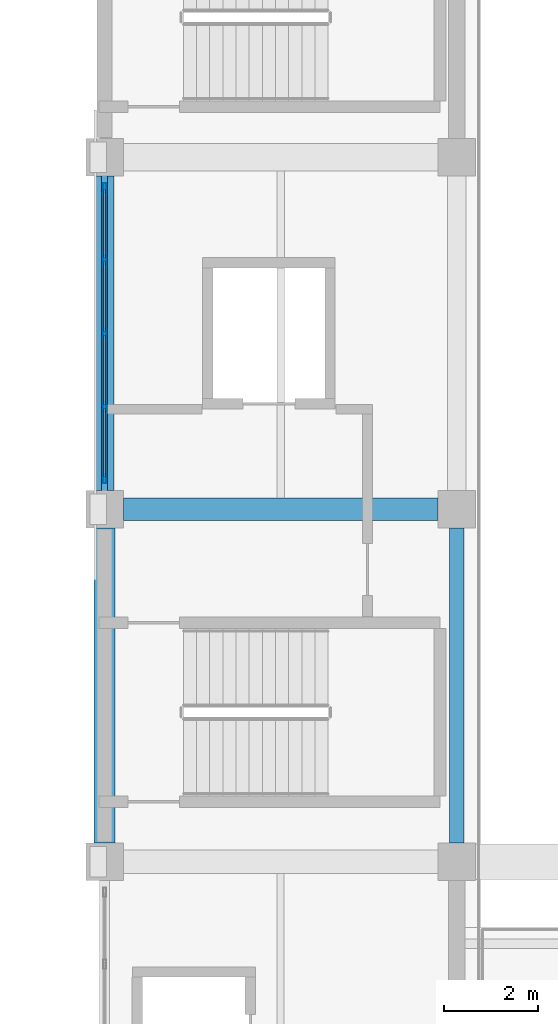
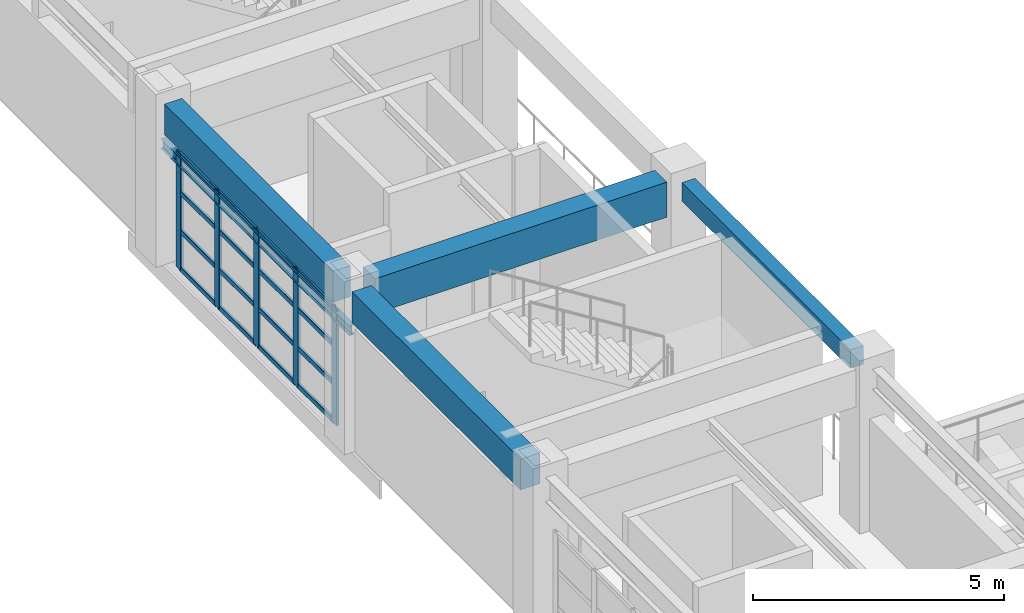
# One storey, part 27 of 124: 21 members, 5 beams, 1 element without a shape of its own.
"""IFC4 building model written with IfcOpenShell, lengths in metres."""

from ifc_helpers import new_model, si_unit, direction, frame, origin, origin_2d, place, context, subcontext, project, spatial, rectangle, hollow_rectangle, i_section, extrude, material, material_profile, profile_set, type_object, element, aggregate, save


model = new_model("IFC4")

# Units and contexts
model_context = context("Model", 3, precision=1e-05, world=origin(), true_north=direction((0.0, 1.0)))
body_context = subcontext(model_context, "Body", "Model", "MODEL_VIEW")
ifc_project = project(units=[si_unit("LENGTHUNIT", "METRE"), si_unit("AREAUNIT", "SQUARE_METRE"), si_unit("VOLUMEUNIT", "CUBIC_METRE"), si_unit("PLANEANGLEUNIT", "RADIAN"), si_unit("MASSUNIT", "GRAM", prefix="KILO")], contexts=[model_context])

# Site, building, storey
site_placement = place(None, origin())
site = spatial("IfcSite", under=ifc_project, at=site_placement, CompositionType="ELEMENT")
building_placement = place(site_placement, origin())
building = spatial("IfcBuilding", under=site, at=building_placement, Name="Qasida Concert Hall", CompositionType="ELEMENT")
storey_placement = place(building_placement, frame((0.0, 0.0, 9.0)))
storey = spatial("IfcBuildingStorey", under=building, at=storey_placement, Name="L02", CompositionType="ELEMENT", Elevation=9.0)

# Beams
ifc_material_1 = material(Name="Concrete C40/50", Category="concrete")
ifc_material_profile_1 = material_profile(ifc_material_1, rectangle(XDim=0.300048828125, YDim=0.449951171875, at=origin_2d()), Name="RC 300x450")
ifc_profile_set_1 = profile_set([ifc_material_profile_1], Name="Concrete C40/50")
beam_type_1 = type_object("IfcBeamType", Name="BM-B3", PredefinedType="BEAM", material=ifc_profile_set_1)
beam_1_placement = place(storey_placement, frame((60.0, 45.39990234375, 3.675048828125), z_axis=(0.0, 1.0, 0.0), x_axis=(-1.0, 0.0, 0.0)))
element("IfcBeam", 1, at=beam_1_placement, inside=storey, type_object=beam_type_1, Name="L02 girder 1178", PredefinedType="BEAM", context=body_context, shape_type="SweptSolid", body=[
    extrude(rectangle(XDim=0.300048828125, YDim=0.449951171875, at=origin_2d()), origin(), (0.0, 0.0, 1.0), 6.7001953125),
])
ifc_material_profile_2 = material_profile(ifc_material_1, rectangle(XDim=0.47998046875, YDim=0.85009765625, at=origin_2d()), Name="RC 480x850")
ifc_profile_set_2 = profile_set([ifc_material_profile_2], Name="Concrete C40/50")
beam_type_2 = type_object("IfcBeamType", Name="BM-G6", PredefinedType="USERDEFINED", material=ifc_profile_set_2)
beam_2_placement = place(storey_placement, frame((52.89990234375, 52.5, 3.47509765625), z_axis=(1.0, 0.0, 0.0), x_axis=(0.0, 1.0, 0.0)))
element("IfcBeam", 2, at=beam_2_placement, inside=storey, type_object=beam_type_2, Name="Primary girder 1151", ObjectType="GIRDER", PredefinedType="USERDEFINED", context=body_context, shape_type="SweptSolid", body=[
    extrude(rectangle(XDim=0.47998046875, YDim=0.85009765625, at=origin_2d()), origin(), (0.0, 0.0, 1.0), 6.7001953125),
])
ifc_material_2 = material(Name="Steel S355J2", Category="steel")
ifc_material_profile_3 = material_profile(ifc_material_2, i_section(OverallWidth=0.1201171875, OverallDepth=0.239990234375, WebThickness=0.006103515625, FlangeThickness=0.009765625, FilletRadius=0.014892578125, at=origin_2d()), Name="IPE 240")
ifc_profile_set_3 = profile_set([ifc_material_profile_3], Name="Steel S355J2")
beam_type_3 = type_object("IfcBeamType", Name="BM-LN2", PredefinedType="LINTEL", material=ifc_profile_set_3)
beam_3_placement = place(storey_placement, frame((52.5, 52.5, 2.64990234375), z_axis=(0.0, 1.0, 0.0), x_axis=(-1.0, 0.0, 0.0)))
element("IfcBeam", 3, at=beam_3_placement, inside=storey, type_object=beam_type_3, Name="L02 portal lintel beam 011", PredefinedType="LINTEL", context=body_context, shape_type="SweptSolid", body=[
    extrude(i_section(OverallWidth=0.1201171875, OverallDepth=0.239990234375, WebThickness=0.006103515625, FlangeThickness=0.009765625, FilletRadius=0.014892578125, at=origin_2d()), origin(), (0.0, 0.0, 1.0), 7.5),
])
ifc_material_profile_4 = material_profile(ifc_material_1, rectangle(XDim=0.39990234375, YDim=0.75, at=origin_2d()), Name="RC 400x750")
ifc_profile_set_4 = profile_set([ifc_material_profile_4], Name="Concrete C40/50")
beam_type_4 = type_object("IfcBeamType", Name="BM-SP1", PredefinedType="SPANDREL", material=ifc_profile_set_4)
beam_4_placement = place(storey_placement, frame((52.5, 52.89990234375, 3.52490234375), z_axis=(0.0, 1.0, 0.0), x_axis=(-1.0, 0.0, 0.0)))
element("IfcBeam", 4, at=beam_4_placement, inside=storey, type_object=beam_type_4, Name="L02 girder 1173", PredefinedType="SPANDREL", context=body_context, shape_type="SweptSolid", body=[
    extrude(rectangle(XDim=0.39990234375, YDim=0.75, at=origin_2d()), origin(), (0.0, 0.0, 1.0), 6.7001953125),
])
ifc_material_profile_5 = material_profile(ifc_material_1, rectangle(XDim=0.449951171875, YDim=0.75, at=origin_2d()), Name="RC 450x750")
ifc_profile_set_5 = profile_set([ifc_material_profile_5], Name="Concrete C40/50")
beam_type_5 = type_object("IfcBeamType", Name="BM-SP4", PredefinedType="SPANDREL", material=ifc_profile_set_5)
beam_5_placement = place(storey_placement, frame((52.5, 45.39990234375, 3.52490234375), z_axis=(0.0, 1.0, 0.0), x_axis=(-1.0, 0.0, 0.0)))
element("IfcBeam", 5, at=beam_5_placement, inside=storey, type_object=beam_type_5, Name="L02 girder 1172", PredefinedType="SPANDREL", context=body_context, shape_type="SweptSolid", body=[
    extrude(rectangle(XDim=0.449951171875, YDim=0.75, at=origin_2d()), origin(), (0.0, 0.0, 1.0), 6.7001953125),
])

# Curtain wall, members
ifc_material_3 = material(Name="Architectural bronze-anodized aluminium and low-E glass", Category="aluminium")
curtain_wall_type = type_object("IfcCurtainWallType", Name="CW-03", PredefinedType="NOTDEFINED", material=ifc_material_3)
curtain_wall_placement = place(storey_placement, origin())
curtain_wall = element("IfcCurtainWall", 6, at=curtain_wall_placement, inside=storey, type_object=curtain_wall_type, Name="L02 curtain wall CW-03 0049", PredefinedType="NOTDEFINED")
ifc_material_4 = material(Name="Architectural bronze-anodized aluminium EN AW-6063", Category="aluminium")
ifc_material_profile_6 = material_profile(ifc_material_4, hollow_rectangle(XDim=0.06494140625, YDim=0.199951171875, WallThickness=0.0048828125, InnerFilletRadius=0.0048828125, OuterFilletRadius=0.010009765625, at=origin_2d()), Name="CWM 200x65x5")
ifc_profile_set_6 = profile_set([ifc_material_profile_6], Name="Architectural bronze-anodized aluminium EN AW-6063")
member_type_1 = type_object("IfcMemberType", Name="MB-CWM-2", PredefinedType="MULLION", material=ifc_profile_set_6)
member_1_placement = place(storey_placement, frame((52.5, 53.152587890625, 0.0), z_axis=(0.0, 0.0, 1.0), x_axis=(-1.0, 0.0, 0.0)))
member_1 = element("IfcMember", 7, at=member_1_placement, type_object=member_type_1, Name="CW-03 mullion 1", PredefinedType="MULLION", context=body_context, shape_type="SweptSolid", body=[
    extrude(hollow_rectangle(XDim=0.06494140625, YDim=0.199951171875, WallThickness=0.0048828125, InnerFilletRadius=0.0048828125, OuterFilletRadius=0.010009765625, at=origin_2d()), origin(), (0.0, 0.0, 1.0), 2.820068359375),
])
member_2_placement = place(storey_placement, frame((52.5, 54.68505859375, 0.0), z_axis=(0.0, 0.0, 1.0), x_axis=(-1.0, 0.0, 0.0)))
member_2 = element("IfcMember", 8, at=member_2_placement, type_object=member_type_1, Name="CW-03 mullion 2", PredefinedType="MULLION", context=body_context, shape_type="SweptSolid", body=[
    extrude(hollow_rectangle(XDim=0.06494140625, YDim=0.199951171875, WallThickness=0.0048828125, InnerFilletRadius=0.0048828125, OuterFilletRadius=0.010009765625, at=origin_2d()), origin(), (0.0, 0.0, 1.0), 2.820068359375),
])
member_3_placement = place(storey_placement, frame((52.5, 56.25, 0.0), z_axis=(0.0, 0.0, 1.0), x_axis=(-1.0, 0.0, 0.0)))
member_3 = element("IfcMember", 9, at=member_3_placement, type_object=member_type_1, Name="CW-03 mullion 3", PredefinedType="MULLION", context=body_context, shape_type="SweptSolid", body=[
    extrude(hollow_rectangle(XDim=0.06494140625, YDim=0.199951171875, WallThickness=0.0048828125, InnerFilletRadius=0.0048828125, OuterFilletRadius=0.010009765625, at=origin_2d()), origin(), (0.0, 0.0, 1.0), 2.820068359375),
])
member_4_placement = place(storey_placement, frame((52.5, 57.81494140625, 0.0), z_axis=(0.0, 0.0, 1.0), x_axis=(-1.0, 0.0, 0.0)))
member_4 = element("IfcMember", 10, at=member_4_placement, type_object=member_type_1, Name="CW-03 mullion 4", PredefinedType="MULLION", context=body_context, shape_type="SweptSolid", body=[
    extrude(hollow_rectangle(XDim=0.06494140625, YDim=0.199951171875, WallThickness=0.0048828125, InnerFilletRadius=0.0048828125, OuterFilletRadius=0.010009765625, at=origin_2d()), origin(), (0.0, 0.0, 1.0), 2.820068359375),
])
member_5_placement = place(storey_placement, frame((52.5, 59.347412109375, 0.0), z_axis=(0.0, 0.0, 1.0), x_axis=(-1.0, 0.0, 0.0)))
member_5 = element("IfcMember", 11, at=member_5_placement, type_object=member_type_1, Name="CW-03 mullion 5", PredefinedType="MULLION", context=body_context, shape_type="SweptSolid", body=[
    extrude(hollow_rectangle(XDim=0.06494140625, YDim=0.199951171875, WallThickness=0.0048828125, InnerFilletRadius=0.0048828125, OuterFilletRadius=0.010009765625, at=origin_2d()), origin(), (0.0, 0.0, 1.0), 2.820068359375),
])
ifc_material_profile_7 = material_profile(ifc_material_4, hollow_rectangle(XDim=0.06005859375, YDim=0.1201171875, WallThickness=0.00390625, InnerFilletRadius=0.00390625, OuterFilletRadius=0.008056640625, at=origin_2d()), Name="CWT 120x60x4")
ifc_profile_set_7 = profile_set([ifc_material_profile_7], Name="Architectural bronze-anodized aluminium EN AW-6063")
member_type_2 = type_object("IfcMemberType", Name="MB-CWT-2", PredefinedType="USERDEFINED", material=ifc_profile_set_7)
member_6_placement = place(storey_placement, frame((52.5, 53.18505859375, 0.030029296875), z_axis=(0.0, 1.0, 0.0), x_axis=(-1.0, 0.0, 0.0)))
member_6 = element("IfcMember", 12, at=member_6_placement, type_object=member_type_2, Name="CW-03 transom 1.1", ObjectType="TRANSOM", PredefinedType="USERDEFINED", context=body_context, shape_type="SweptSolid", body=[
    extrude(hollow_rectangle(XDim=0.06005859375, YDim=0.1201171875, WallThickness=0.00390625, InnerFilletRadius=0.00390625, OuterFilletRadius=0.008056640625, at=origin_2d()), origin(), (0.0, 0.0, 1.0), 1.467529296875),
])
member_7_placement = place(storey_placement, frame((52.5, 53.18505859375, 0.93994140625), z_axis=(0.0, 1.0, 0.0), x_axis=(-1.0, 0.0, 0.0)))
member_7 = element("IfcMember", 13, at=member_7_placement, type_object=member_type_2, Name="CW-03 transom 1.2", ObjectType="TRANSOM", PredefinedType="USERDEFINED", context=body_context, shape_type="SweptSolid", body=[
    extrude(hollow_rectangle(XDim=0.06005859375, YDim=0.1201171875, WallThickness=0.00390625, InnerFilletRadius=0.00390625, OuterFilletRadius=0.008056640625, at=origin_2d()), origin(), (0.0, 0.0, 1.0), 1.467529296875),
])
member_8_placement = place(storey_placement, frame((52.5, 53.18505859375, 1.8798828125), z_axis=(0.0, 1.0, 0.0), x_axis=(-1.0, 0.0, 0.0)))
member_8 = element("IfcMember", 14, at=member_8_placement, type_object=member_type_2, Name="CW-03 transom 1.3", ObjectType="TRANSOM", PredefinedType="USERDEFINED", context=body_context, shape_type="SweptSolid", body=[
    extrude(hollow_rectangle(XDim=0.06005859375, YDim=0.1201171875, WallThickness=0.00390625, InnerFilletRadius=0.00390625, OuterFilletRadius=0.008056640625, at=origin_2d()), origin(), (0.0, 0.0, 1.0), 1.467529296875),
])
member_9_placement = place(storey_placement, frame((52.5, 53.18505859375, 2.7900390625), z_axis=(0.0, 1.0, 0.0), x_axis=(-1.0, 0.0, 0.0)))
member_9 = element("IfcMember", 15, at=member_9_placement, type_object=member_type_2, Name="CW-03 transom 1.4", ObjectType="TRANSOM", PredefinedType="USERDEFINED", context=body_context, shape_type="SweptSolid", body=[
    extrude(hollow_rectangle(XDim=0.06005859375, YDim=0.1201171875, WallThickness=0.00390625, InnerFilletRadius=0.00390625, OuterFilletRadius=0.008056640625, at=origin_2d()), origin(), (0.0, 0.0, 1.0), 1.467529296875),
])
member_10_placement = place(storey_placement, frame((52.5, 54.717529296875, 0.030029296875), z_axis=(0.0, 1.0, 0.0), x_axis=(-1.0, 0.0, 0.0)))
member_10 = element("IfcMember", 16, at=member_10_placement, type_object=member_type_2, Name="CW-03 transom 2.1", ObjectType="TRANSOM", PredefinedType="USERDEFINED", context=body_context, shape_type="SweptSolid", body=[
    extrude(hollow_rectangle(XDim=0.06005859375, YDim=0.1201171875, WallThickness=0.00390625, InnerFilletRadius=0.00390625, OuterFilletRadius=0.008056640625, at=origin_2d()), origin(), (0.0, 0.0, 1.0), 1.5),
])
member_11_placement = place(storey_placement, frame((52.5, 54.717529296875, 0.93994140625), z_axis=(0.0, 1.0, 0.0), x_axis=(-1.0, 0.0, 0.0)))
member_11 = element("IfcMember", 17, at=member_11_placement, type_object=member_type_2, Name="CW-03 transom 2.2", ObjectType="TRANSOM", PredefinedType="USERDEFINED", context=body_context, shape_type="SweptSolid", body=[
    extrude(hollow_rectangle(XDim=0.06005859375, YDim=0.1201171875, WallThickness=0.00390625, InnerFilletRadius=0.00390625, OuterFilletRadius=0.008056640625, at=origin_2d()), origin(), (0.0, 0.0, 1.0), 1.5),
])
member_12_placement = place(storey_placement, frame((52.5, 54.717529296875, 1.8798828125), z_axis=(0.0, 1.0, 0.0), x_axis=(-1.0, 0.0, 0.0)))
member_12 = element("IfcMember", 18, at=member_12_placement, type_object=member_type_2, Name="CW-03 transom 2.3", ObjectType="TRANSOM", PredefinedType="USERDEFINED", context=body_context, shape_type="SweptSolid", body=[
    extrude(hollow_rectangle(XDim=0.06005859375, YDim=0.1201171875, WallThickness=0.00390625, InnerFilletRadius=0.00390625, OuterFilletRadius=0.008056640625, at=origin_2d()), origin(), (0.0, 0.0, 1.0), 1.5),
])
member_13_placement = place(storey_placement, frame((52.5, 54.717529296875, 2.7900390625), z_axis=(0.0, 1.0, 0.0), x_axis=(-1.0, 0.0, 0.0)))
member_13 = element("IfcMember", 19, at=member_13_placement, type_object=member_type_2, Name="CW-03 transom 2.4", ObjectType="TRANSOM", PredefinedType="USERDEFINED", context=body_context, shape_type="SweptSolid", body=[
    extrude(hollow_rectangle(XDim=0.06005859375, YDim=0.1201171875, WallThickness=0.00390625, InnerFilletRadius=0.00390625, OuterFilletRadius=0.008056640625, at=origin_2d()), origin(), (0.0, 0.0, 1.0), 1.5),
])
member_14_placement = place(storey_placement, frame((52.5, 56.282470703125, 0.030029296875), z_axis=(0.0, 1.0, 0.0), x_axis=(-1.0, 0.0, 0.0)))
member_14 = element("IfcMember", 20, at=member_14_placement, type_object=member_type_2, Name="CW-03 transom 3.1", ObjectType="TRANSOM", PredefinedType="USERDEFINED", context=body_context, shape_type="SweptSolid", body=[
    extrude(hollow_rectangle(XDim=0.06005859375, YDim=0.1201171875, WallThickness=0.00390625, InnerFilletRadius=0.00390625, OuterFilletRadius=0.008056640625, at=origin_2d()), origin(), (0.0, 0.0, 1.0), 1.5),
])
member_15_placement = place(storey_placement, frame((52.5, 56.282470703125, 0.93994140625), z_axis=(0.0, 1.0, 0.0), x_axis=(-1.0, 0.0, 0.0)))
member_15 = element("IfcMember", 21, at=member_15_placement, type_object=member_type_2, Name="CW-03 transom 3.2", ObjectType="TRANSOM", PredefinedType="USERDEFINED", context=body_context, shape_type="SweptSolid", body=[
    extrude(hollow_rectangle(XDim=0.06005859375, YDim=0.1201171875, WallThickness=0.00390625, InnerFilletRadius=0.00390625, OuterFilletRadius=0.008056640625, at=origin_2d()), origin(), (0.0, 0.0, 1.0), 1.5),
])
member_16_placement = place(storey_placement, frame((52.5, 56.282470703125, 1.8798828125), z_axis=(0.0, 1.0, 0.0), x_axis=(-1.0, 0.0, 0.0)))
member_16 = element("IfcMember", 22, at=member_16_placement, type_object=member_type_2, Name="CW-03 transom 3.3", ObjectType="TRANSOM", PredefinedType="USERDEFINED", context=body_context, shape_type="SweptSolid", body=[
    extrude(hollow_rectangle(XDim=0.06005859375, YDim=0.1201171875, WallThickness=0.00390625, InnerFilletRadius=0.00390625, OuterFilletRadius=0.008056640625, at=origin_2d()), origin(), (0.0, 0.0, 1.0), 1.5),
])
member_17_placement = place(storey_placement, frame((52.5, 56.282470703125, 2.7900390625), z_axis=(0.0, 1.0, 0.0), x_axis=(-1.0, 0.0, 0.0)))
member_17 = element("IfcMember", 23, at=member_17_placement, type_object=member_type_2, Name="CW-03 transom 3.4", ObjectType="TRANSOM", PredefinedType="USERDEFINED", context=body_context, shape_type="SweptSolid", body=[
    extrude(hollow_rectangle(XDim=0.06005859375, YDim=0.1201171875, WallThickness=0.00390625, InnerFilletRadius=0.00390625, OuterFilletRadius=0.008056640625, at=origin_2d()), origin(), (0.0, 0.0, 1.0), 1.5),
])
member_18_placement = place(storey_placement, frame((52.5, 57.847412109375, 0.030029296875), z_axis=(0.0, 1.0, 0.0), x_axis=(-1.0, 0.0, 0.0)))
member_18 = element("IfcMember", 24, at=member_18_placement, type_object=member_type_2, Name="CW-03 transom 4.1", ObjectType="TRANSOM", PredefinedType="USERDEFINED", context=body_context, shape_type="SweptSolid", body=[
    extrude(hollow_rectangle(XDim=0.06005859375, YDim=0.1201171875, WallThickness=0.00390625, InnerFilletRadius=0.00390625, OuterFilletRadius=0.008056640625, at=origin_2d()), origin(), (0.0, 0.0, 1.0), 1.467529296875),
])
member_19_placement = place(storey_placement, frame((52.5, 57.847412109375, 0.93994140625), z_axis=(0.0, 1.0, 0.0), x_axis=(-1.0, 0.0, 0.0)))
member_19 = element("IfcMember", 25, at=member_19_placement, type_object=member_type_2, Name="CW-03 transom 4.2", ObjectType="TRANSOM", PredefinedType="USERDEFINED", context=body_context, shape_type="SweptSolid", body=[
    extrude(hollow_rectangle(XDim=0.06005859375, YDim=0.1201171875, WallThickness=0.00390625, InnerFilletRadius=0.00390625, OuterFilletRadius=0.008056640625, at=origin_2d()), origin(), (0.0, 0.0, 1.0), 1.467529296875),
])
member_20_placement = place(storey_placement, frame((52.5, 57.847412109375, 1.8798828125), z_axis=(0.0, 1.0, 0.0), x_axis=(-1.0, 0.0, 0.0)))
member_20 = element("IfcMember", 26, at=member_20_placement, type_object=member_type_2, Name="CW-03 transom 4.3", ObjectType="TRANSOM", PredefinedType="USERDEFINED", context=body_context, shape_type="SweptSolid", body=[
    extrude(hollow_rectangle(XDim=0.06005859375, YDim=0.1201171875, WallThickness=0.00390625, InnerFilletRadius=0.00390625, OuterFilletRadius=0.008056640625, at=origin_2d()), origin(), (0.0, 0.0, 1.0), 1.467529296875),
])
member_21_placement = place(storey_placement, frame((52.5, 57.847412109375, 2.7900390625), z_axis=(0.0, 1.0, 0.0), x_axis=(-1.0, 0.0, 0.0)))
member_21 = element("IfcMember", 27, at=member_21_placement, type_object=member_type_2, Name="CW-03 transom 4.4", ObjectType="TRANSOM", PredefinedType="USERDEFINED", context=body_context, shape_type="SweptSolid", body=[
    extrude(hollow_rectangle(XDim=0.06005859375, YDim=0.1201171875, WallThickness=0.00390625, InnerFilletRadius=0.00390625, OuterFilletRadius=0.008056640625, at=origin_2d()), origin(), (0.0, 0.0, 1.0), 1.467529296875),
])
aggregate(curtain_wall, [member_1, member_2, member_3, member_4, member_5, member_6, member_7, member_8, member_9, member_10, member_11, member_12, member_13, member_14, member_15, member_16, member_17, member_18, member_19, member_20, member_21])

save(model, "model.ifc")
